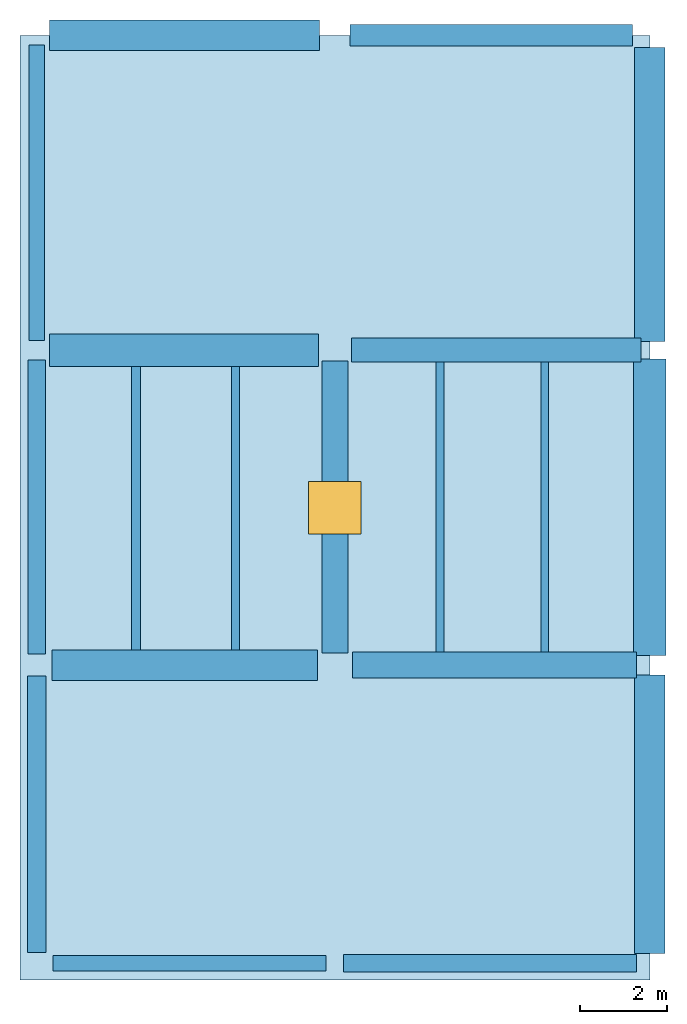
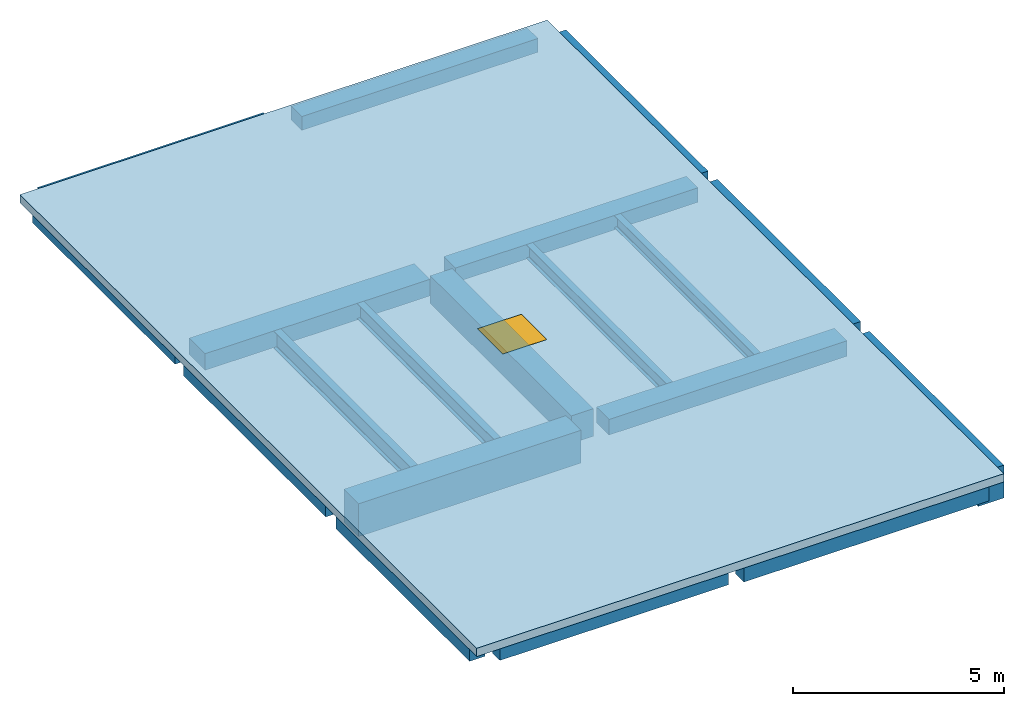
# One storey: 19 beams, 1 slab, 1 window, 1 opening.
"""IFC4 building model written with IfcOpenShell, lengths in metres."""

from ifc_helpers import new_model, si_unit, direction, frame, origin, origin_2d, place, context, subcontext, project, spatial, polyline, rectangle, i_section, outline, extrude, material, layer, layer_set, material_profile, profile_set, type_object, element, fill, save


model = new_model("IFC4")

# Units and contexts
model_context = context("Model", 3, precision=1e-05, world=origin(), true_north=direction((0.0, 1.0)))
body_context = subcontext(model_context, "Body", "Model", "MODEL_VIEW")
ifc_project = project(units=[si_unit("LENGTHUNIT", "METRE"), si_unit("AREAUNIT", "SQUARE_METRE"), si_unit("VOLUMEUNIT", "CUBIC_METRE"), si_unit("PLANEANGLEUNIT", "RADIAN"), si_unit("MASSUNIT", "GRAM", prefix="KILO")], contexts=[model_context])

# Site, building, storey
site_placement = place(None, origin())
site = spatial("IfcSite", under=ifc_project, at=site_placement, CompositionType="ELEMENT")
building_placement = place(site_placement, origin())
building = spatial("IfcBuilding", under=site, at=building_placement, Name="Vardoun Plaza Health Centre", CompositionType="ELEMENT")
storey_placement = place(building_placement, frame((0.0, 0.0, 28.7099609375)))
storey = spatial("IfcBuildingStorey", under=building, at=storey_placement, Name="RF", CompositionType="ELEMENT", Elevation=28.7099609375)

# Beams
ifc_material_1 = material(Name="Concrete C35/45", Category="concrete")
ifc_material_profile_1 = material_profile(ifc_material_1, rectangle(XDim=0.35009765625, YDim=0.5, at=origin_2d()), Name="RC-BM 350x500")
ifc_profile_set_1 = profile_set([ifc_material_profile_1], Name="Concrete C35/45")
beam_type_1 = type_object("IfcBeamType", Name="B-08", PredefinedType="SPANDREL", material=ifc_profile_set_1)
beam_1_placement = place(storey_placement, frame((5.2548828125, 4.8798828125, -0.25), z_axis=(1.0, 0.0, 0.0), x_axis=(0.0, 1.0, 0.0)))
element("IfcBeam", 1, at=beam_1_placement, inside=storey, type_object=beam_type_1, Name="V2 RF Beam B-V2-RF-X01", PredefinedType="SPANDREL", context=body_context, shape_type="SweptSolid", body=[
    extrude(rectangle(XDim=0.35009765625, YDim=0.5, at=origin_2d()), origin(), (0.0, 0.0, 1.0), 6.2451171875),
])
beam_2_placement = place(storey_placement, frame((4.8798828125, 19.125, -0.25), z_axis=(0.0, 1.0, 0.0), x_axis=(-1.0, 0.0, 0.0)))
element("IfcBeam", 2, at=beam_2_placement, inside=storey, type_object=beam_type_1, Name="V2 RF Beam B-V2-RF-Y11", PredefinedType="SPANDREL", context=body_context, shape_type="SweptSolid", body=[
    extrude(rectangle(XDim=0.35009765625, YDim=0.5, at=origin_2d()), origin(), (0.0, 0.0, 1.0), 6.75),
])
ifc_material_2 = material(Name="Concrete C35/45", Category="concrete")
ifc_material_profile_2 = material_profile(ifc_material_2, rectangle(XDim=0.39990234375, YDim=0.550048828125, at=origin_2d()), Name="RC-BM 400x550")
ifc_profile_set_2 = profile_set([ifc_material_profile_2], Name="Concrete C35/45")
beam_type_2 = type_object("IfcBeamType", Name="B-09", PredefinedType="SPANDREL", material=ifc_profile_set_2)
beam_3_placement = place(storey_placement, frame((11.89990234375, 4.8798828125, -0.27490234375), z_axis=(1.0, 0.0, 0.0), x_axis=(0.0, 1.0, 0.0)))
element("IfcBeam", 3, at=beam_3_placement, inside=storey, type_object=beam_type_2, Name="V2 RF Beam B-V2-RF-X05", PredefinedType="SPANDREL", context=body_context, shape_type="SweptSolid", body=[
    extrude(rectangle(XDim=0.39990234375, YDim=0.550048828125, at=origin_2d()), origin(), (0.0, 0.0, 1.0), 6.7001953125),
])
beam_4_placement = place(storey_placement, frame((4.8798828125, 11.949951171875, -0.27490234375), z_axis=(0.0, 1.0, 0.0), x_axis=(-1.0, 0.0, 0.0)))
element("IfcBeam", 4, at=beam_4_placement, inside=storey, type_object=beam_type_2, Name="V2 RF Beam B-V2-RF-Y10", PredefinedType="SPANDREL", context=body_context, shape_type="SweptSolid", body=[
    extrude(rectangle(XDim=0.39990234375, YDim=0.550048828125, at=origin_2d()), origin(), (0.0, 0.0, 1.0), 6.72509765625),
])
ifc_material_3 = material(Name="Concrete C35/45", Category="concrete")
ifc_material_profile_3 = material_profile(ifc_material_3, rectangle(XDim=0.419921875, YDim=0.580078125, at=origin_2d()), Name="RC-BM 420x580")
ifc_profile_set_3 = profile_set([ifc_material_profile_3], Name="Concrete C35/45")
beam_type_3 = type_object("IfcBeamType", Name="B-10", PredefinedType="SPANDREL", material=ifc_profile_set_3)
beam_5_placement = place(storey_placement, frame((4.8798828125, 5.1298828125, -0.2900390625), z_axis=(0.0, 1.0, 0.0), x_axis=(-1.0, 0.0, 0.0)))
element("IfcBeam", 5, at=beam_5_placement, inside=storey, type_object=beam_type_3, Name="V2 RF Beam B-V2-RF-Y09", PredefinedType="SPANDREL", context=body_context, shape_type="SweptSolid", body=[
    extrude(rectangle(XDim=0.419921875, YDim=0.580078125, at=origin_2d()), origin(), (0.0, 0.0, 1.0), 6.320068359375),
])
ifc_material_4 = material(Name="Concrete C35/45", Category="concrete")
ifc_material_profile_4 = material_profile(ifc_material_4, rectangle(XDim=0.5, YDim=0.39990234375, at=origin_2d()), Name="RC-BM 500x400")
ifc_profile_set_4 = profile_set([ifc_material_profile_4], Name="Concrete C35/45")
beam_type_4 = type_object("IfcBeamType", Name="B-02", PredefinedType="BEAM", material=ifc_profile_set_4)
beam_6_placement = place(storey_placement, frame((12.050048828125, 26.10009765625, -0.199951171875), z_axis=(1.0, 0.0, 0.0), x_axis=(0.0, 1.0, 0.0)))
element("IfcBeam", 6, at=beam_6_placement, inside=storey, type_object=beam_type_4, Name="V2 RF Beam B-V2-RF-X08", PredefinedType="BEAM", context=body_context, shape_type="SweptSolid", body=[
    extrude(rectangle(XDim=0.5, YDim=0.39990234375, at=origin_2d()), origin(), (0.0, 0.0, 1.0), 6.449951171875),
])
ifc_material_5 = material(Name="Concrete C35/45", Category="concrete")
ifc_material_profile_5 = material_profile(ifc_material_5, rectangle(XDim=0.550048828125, YDim=0.419921875, at=origin_2d()), Name="RC-BM 550x420")
ifc_profile_set_5 = profile_set([ifc_material_profile_5], Name="Concrete C35/45")
beam_type_5 = type_object("IfcBeamType", Name="B-03", PredefinedType="BEAM", material=ifc_profile_set_5)
beam_7_placement = place(storey_placement, frame((12.074951171875, 18.89990234375, -0.2099609375), z_axis=(1.0, 0.0, 0.0), x_axis=(0.0, 1.0, 0.0)))
element("IfcBeam", 7, at=beam_7_placement, inside=storey, type_object=beam_type_5, Name="V2 RF Beam B-V2-RF-X07", PredefinedType="BEAM", context=body_context, shape_type="SweptSolid", body=[
    extrude(rectangle(XDim=0.550048828125, YDim=0.419921875, at=origin_2d()), origin(), (0.0, 0.0, 1.0), 6.625),
])
ifc_material_6 = material(Name="Concrete C35/45", Category="concrete")
ifc_material_profile_6 = material_profile(ifc_material_6, rectangle(XDim=0.60009765625, YDim=0.449951171875, at=origin_2d()), Name="RC-BM 600x450")
ifc_profile_set_6 = profile_set([ifc_material_profile_6], Name="Concrete C35/45")
beam_type_6 = type_object("IfcBeamType", Name="B-04", PredefinedType="BEAM", material=ifc_profile_set_6)
beam_8_placement = place(storey_placement, frame((12.10009765625, 11.699951171875, -0.224853515625), z_axis=(1.0, 0.0, 0.0), x_axis=(0.0, 1.0, 0.0)))
element("IfcBeam", 8, at=beam_8_placement, inside=storey, type_object=beam_type_6, Name="V2 RF Beam B-V2-RF-X06", PredefinedType="BEAM", context=body_context, shape_type="SweptSolid", body=[
    extrude(rectangle(XDim=0.60009765625, YDim=0.449951171875, at=origin_2d()), origin(), (0.0, 0.0, 1.0), 6.5),
])
ifc_material_7 = material(Name="Concrete C40/50", Category="concrete")
ifc_material_profile_7 = material_profile(ifc_material_7, rectangle(XDim=0.60009765625, YDim=0.800048828125, at=origin_2d()), Name="RC-BM 600x800")
ifc_profile_set_7 = profile_set([ifc_material_profile_7], Name="Concrete C40/50")
beam_type_7 = type_object("IfcBeamType", Name="B-15", PredefinedType="JOIST", material=ifc_profile_set_7)
beam_9_placement = place(storey_placement, frame((11.699951171875, 11.97509765625, -0.39990234375), z_axis=(0.0, 1.0, 0.0), x_axis=(-1.0, 0.0, 0.0)))
element("IfcBeam", 9, at=beam_9_placement, inside=storey, type_object=beam_type_7, Name="V2 RF Beam B-V2-RF-Y12", PredefinedType="JOIST", context=body_context, shape_type="SweptSolid", body=[
    extrude(rectangle(XDim=0.60009765625, YDim=0.800048828125, at=origin_2d()), origin(), (0.0, 0.0, 1.0), 6.6748046875),
])
ifc_material_8 = material(Name="Concrete C35/45", Category="concrete")
ifc_material_profile_8 = material_profile(ifc_material_8, rectangle(XDim=0.699951171875, YDim=0.449951171875, at=origin_2d()), Name="RC-BM 700x450")
ifc_profile_set_8 = profile_set([ifc_material_profile_8], Name="Concrete C35/45")
beam_type_8 = type_object("IfcBeamType", Name="B-06", PredefinedType="BEAM", material=ifc_profile_set_8)
beam_10_placement = place(storey_placement, frame((5.179931640625, 26.10009765625, -0.224853515625), z_axis=(1.0, 0.0, 0.0), x_axis=(0.0, 1.0, 0.0)))
element("IfcBeam", 10, at=beam_10_placement, inside=storey, type_object=beam_type_8, Name="V2 RF Beam B-V2-RF-X04", PredefinedType="BEAM", context=body_context, shape_type="SweptSolid", body=[
    extrude(rectangle(XDim=0.699951171875, YDim=0.449951171875, at=origin_2d()), origin(), (0.0, 0.0, 1.0), 6.170166015625),
])
beam_11_placement = place(storey_placement, frame((18.89990234375, 19.10009765625, -0.224853515625), z_axis=(0.0, 1.0, 0.0), x_axis=(-1.0, 0.0, 0.0)))
element("IfcBeam", 11, at=beam_11_placement, inside=storey, type_object=beam_type_8, Name="V2 RF Beam B-V2-RF-Y15", PredefinedType="BEAM", context=body_context, shape_type="SweptSolid", body=[
    extrude(rectangle(XDim=0.699951171875, YDim=0.449951171875, at=origin_2d()), origin(), (0.0, 0.0, 1.0), 6.724853515625),
])
ifc_material_9 = material(Name="Concrete C40/50", Category="concrete")
ifc_material_profile_9 = material_profile(ifc_material_9, rectangle(XDim=0.699951171875, YDim=0.949951171875, at=origin_2d()), Name="RC-BM 700x950")
ifc_profile_set_9 = profile_set([ifc_material_profile_9], Name="Concrete C40/50")
beam_type_9 = type_object("IfcBeamType", Name="B-16", PredefinedType="LINTEL", material=ifc_profile_set_9)
beam_12_placement = place(storey_placement, frame((5.22998046875, 11.699951171875, -0.474853515625), z_axis=(1.0, 0.0, 0.0), x_axis=(0.0, 1.0, 0.0)))
element("IfcBeam", 12, at=beam_12_placement, inside=storey, type_object=beam_type_9, Name="V2 RF Beam B-V2-RF-X02", PredefinedType="LINTEL", context=body_context, shape_type="SweptSolid", body=[
    extrude(rectangle(XDim=0.699951171875, YDim=0.949951171875, at=origin_2d()), origin(), (0.0, 0.0, 1.0), 6.070068359375),
])
beam_13_placement = place(storey_placement, frame((18.89990234375, 5.10498046875, -0.474853515625), z_axis=(0.0, 1.0, 0.0), x_axis=(-1.0, 0.0, 0.0)))
element("IfcBeam", 13, at=beam_13_placement, inside=storey, type_object=beam_type_9, Name="V2 RF Beam B-V2-RF-Y13", PredefinedType="LINTEL", context=body_context, shape_type="SweptSolid", body=[
    extrude(rectangle(XDim=0.699951171875, YDim=0.949951171875, at=origin_2d()), origin(), (0.0, 0.0, 1.0), 6.3701171875),
])
ifc_material_10 = material(Name="Concrete C35/45", Category="concrete")
ifc_material_profile_10 = material_profile(ifc_material_10, rectangle(XDim=0.75, YDim=0.47998046875, at=origin_2d()), Name="RC-BM 750x480")
ifc_profile_set_10 = profile_set([ifc_material_profile_10], Name="Concrete C35/45")
beam_type_10 = type_object("IfcBeamType", Name="B-07", PredefinedType="BEAM", material=ifc_profile_set_10)
beam_14_placement = place(storey_placement, frame((5.179931640625, 18.89990234375, -0.239990234375), z_axis=(1.0, 0.0, 0.0), x_axis=(0.0, 1.0, 0.0)))
element("IfcBeam", 14, at=beam_14_placement, inside=storey, type_object=beam_type_10, Name="V2 RF Beam B-V2-RF-X03", PredefinedType="BEAM", context=body_context, shape_type="SweptSolid", body=[
    extrude(rectangle(XDim=0.75, YDim=0.47998046875, at=origin_2d()), origin(), (0.0, 0.0, 1.0), 6.14501953125),
])
beam_15_placement = place(storey_placement, frame((18.89990234375, 11.925048828125, -0.239990234375), z_axis=(0.0, 1.0, 0.0), x_axis=(-1.0, 0.0, 0.0)))
element("IfcBeam", 15, at=beam_15_placement, inside=storey, type_object=beam_type_10, Name="V2 RF Beam B-V2-RF-Y14", PredefinedType="BEAM", context=body_context, shape_type="SweptSolid", body=[
    extrude(rectangle(XDim=0.75, YDim=0.47998046875, at=origin_2d()), origin(), (0.0, 0.0, 1.0), 6.77490234375),
])
ifc_material_11 = material(Name="Steel S355J2", Category="steel")
ifc_material_profile_11 = material_profile(ifc_material_11, i_section(OverallWidth=0.169921875, OverallDepth=0.360107421875, WebThickness=0.008056640625, FlangeThickness=0.0126953125, FilletRadius=0.01806640625, at=origin_2d()), Name="IPE 360")
ifc_profile_set_11 = profile_set([ifc_material_profile_11], Name="Steel S355J2")
beam_type_11 = type_object("IfcBeamType", Name="SB-13", PredefinedType="JOIST", material=ifc_profile_set_11)
beam_16_placement = place(storey_placement, frame((16.500244140625, 12.0, -0.179931640625), z_axis=(0.0, 1.0, 0.0), x_axis=(-1.0, 0.0, 0.0)))
element("IfcBeam", 16, at=beam_16_placement, inside=storey, type_object=beam_type_11, Name="V2 RF Secondary Floor Beam SJ-V2-RF-04", PredefinedType="JOIST", context=body_context, shape_type="SweptSolid", body=[
    extrude(i_section(OverallWidth=0.169921875, OverallDepth=0.360107421875, WebThickness=0.008056640625, FlangeThickness=0.0126953125, FilletRadius=0.01806640625, at=origin_2d()), origin(), (0.0, 0.0, 1.0), 6.625),
])
ifc_material_12 = material(Name="Steel S355J2", Category="steel")
ifc_material_profile_12 = material_profile(ifc_material_12, i_section(OverallWidth=0.179931640625, OverallDepth=0.39990234375, WebThickness=0.008544921875, FlangeThickness=0.013427734375, FilletRadius=0.02099609375, at=origin_2d()), Name="IPE 400")
ifc_profile_set_12 = profile_set([ifc_material_profile_12], Name="Steel S355J2")
beam_type_12 = type_object("IfcBeamType", Name="SB-12", PredefinedType="BEAM", material=ifc_profile_set_12)
beam_17_placement = place(storey_placement, frame((14.099853515625, 12.0, -0.199951171875), z_axis=(0.0, 1.0, 0.0), x_axis=(-1.0, 0.0, 0.0)))
element("IfcBeam", 17, at=beam_17_placement, inside=storey, type_object=beam_type_12, Name="V2 RF Secondary Floor Beam SJ-V2-RF-03", PredefinedType="BEAM", context=body_context, shape_type="SweptSolid", body=[
    extrude(i_section(OverallWidth=0.179931640625, OverallDepth=0.39990234375, WebThickness=0.008544921875, FlangeThickness=0.013427734375, FilletRadius=0.02099609375, at=origin_2d()), origin(), (0.0, 0.0, 1.0), 6.625),
])
ifc_material_13 = material(Name="Steel S355J2", Category="steel")
ifc_material_profile_13 = material_profile(ifc_material_13, i_section(OverallWidth=0.18994140625, OverallDepth=0.449951171875, WebThickness=0.009521484375, FlangeThickness=0.0146484375, FilletRadius=0.02099609375, at=origin_2d()), Name="IPE 450")
ifc_profile_set_13 = profile_set([ifc_material_profile_13], Name="Steel S355J2")
beam_type_13 = type_object("IfcBeamType", Name="SB-11", PredefinedType="BEAM", material=ifc_profile_set_13)
beam_18_placement = place(storey_placement, frame((9.427001953125, 12.050048828125, -0.224853515625), z_axis=(0.0, 1.0, 0.0), x_axis=(-1.0, 0.0, 0.0)))
element("IfcBeam", 18, at=beam_18_placement, inside=storey, type_object=beam_type_13, Name="V2 RF Secondary Floor Beam SJ-V2-RF-02", PredefinedType="BEAM", context=body_context, shape_type="SweptSolid", body=[
    extrude(i_section(OverallWidth=0.18994140625, OverallDepth=0.449951171875, WebThickness=0.009521484375, FlangeThickness=0.0146484375, FilletRadius=0.02099609375, at=origin_2d()), origin(), (0.0, 0.0, 1.0), 6.474853515625),
])
ifc_material_14 = material(Name="Steel S355J2", Category="steel")
ifc_material_profile_14 = material_profile(ifc_material_14, i_section(OverallWidth=0.199951171875, OverallDepth=0.5, WebThickness=0.01025390625, FlangeThickness=0.01611328125, FilletRadius=0.02099609375, at=origin_2d()), Name="IPE 500")
ifc_profile_set_14 = profile_set([ifc_material_profile_14], Name="Steel S355J2")
beam_type_14 = type_object("IfcBeamType", Name="SB-10", PredefinedType="BEAM", material=ifc_profile_set_14)
beam_19_placement = place(storey_placement, frame((7.153076171875, 12.050048828125, -0.25), z_axis=(0.0, 1.0, 0.0), x_axis=(-1.0, 0.0, 0.0)))
element("IfcBeam", 19, at=beam_19_placement, inside=storey, type_object=beam_type_14, Name="V2 RF Secondary Floor Beam SJ-V2-RF-01", PredefinedType="BEAM", context=body_context, shape_type="SweptSolid", body=[
    extrude(i_section(OverallWidth=0.199951171875, OverallDepth=0.5, WebThickness=0.01025390625, FlangeThickness=0.01611328125, FilletRadius=0.02099609375, at=origin_2d()), origin(), (0.0, 0.0, 1.0), 6.474853515625),
])

# Slab, opening, window
ifc_material_15 = material(Name="Pale Limestone Concrete C35/45", Category="masonry")
ifc_layer = layer(ifc_material_15, 0.239990234375)
ifc_layer_set = layer_set([ifc_layer], Name="Pale Limestone Concrete C35/45")
slab_type = type_object("IfcSlabType", Name="RF-01", PredefinedType="ROOF", material=ifc_layer_set)
slab_placement = place(storey_placement, origin())
slab = element("IfcSlab", 20, at=slab_placement, inside=storey, type_object=slab_type, Name="V2 High-Street Corner Crown Roof Slab", PredefinedType="ROOF", context=body_context, shape_type="SweptSolid", body=[
    extrude(outline(polyline([(4.5, 4.5), (18.89990234375, 4.5), (18.89990234375, 26.10009765625), (4.5, 26.10009765625), (4.5, 4.5)])), origin(), (0.0, 0.0, 1.0), 0.239990234375),
])
opening_placement = place(slab_placement, frame((11.699951171875, 15.300048828125, 0.0)))
opening = element("IfcOpeningElement", 21, at=opening_placement, cuts=slab, Name="Opening SK-03", PredefinedType="OPENING", context=body_context, shape_type="SweptSolid", body=[
    extrude(rectangle(XDim=1.199951171875, YDim=1.199951171875, at=origin_2d()), origin(), (0.0, 0.0, 1.0), 0.239990234375),
])
ifc_material_16 = material(Name="Aluminium Alloy EN AW-6063-T6 and Low-E Glass", Category="aluminium")
window_type = type_object("IfcWindowType", Name="SK-03", PartitioningType="SINGLE_PANEL", PredefinedType="SKYLIGHT", material=ifc_material_16)
window_placement = place(opening_placement, frame((0.0, 0.0, 0.18994140625)))
window = element("IfcWindow", 22, at=window_placement, inside=storey, type_object=window_type, Name="V2 Roof Maintenance Smoke Hatch", OverallHeight=1.199951171875, OverallWidth=1.199951171875, PartitioningType="SINGLE_PANEL", PredefinedType="SKYLIGHT", context=body_context, shape_type="SweptSolid", body=[
    extrude(rectangle(XDim=1.199951171875, YDim=1.199951171875, at=origin_2d()), origin(), (0.0, 0.0, 1.0), 0.050048828125),
])
fill(opening, window)

save(model, "model.ifc")
